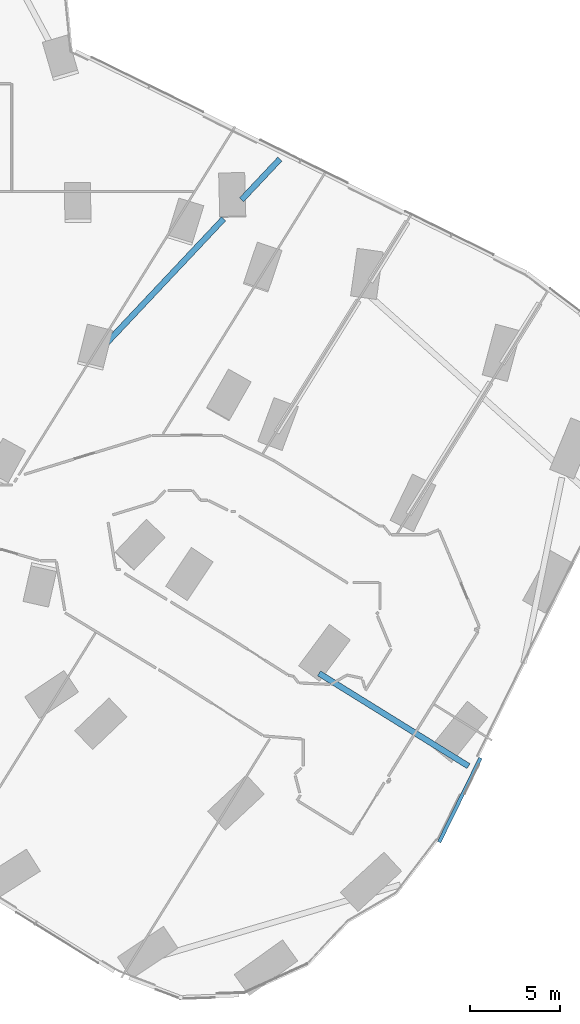
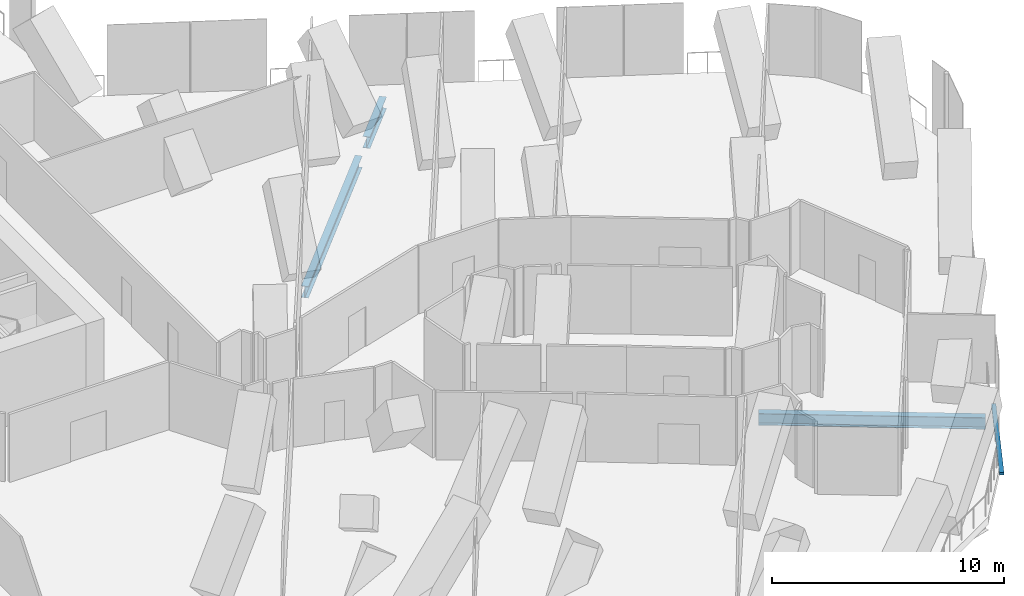
# One storey, part 9 of 31: 3 beams, 1 member, 1 element without a shape of its own.
"""IFC4 building model written with IfcOpenShell, lengths in metres."""

from ifc_helpers import new_model, si_unit, direction, frame, origin, origin_2d, place, context, subcontext, project, spatial, rectangle, i_section, extrude, material, material_profile, profile_set, type_object, element, aggregate, save


model = new_model("IFC4")

# Units and contexts
model_context = context("Model", 3, precision=1e-05, world=origin(), true_north=direction((0.0, 1.0)))
body_context = subcontext(model_context, "Body", "Model", "MODEL_VIEW")
ifc_project = project(units=[si_unit("LENGTHUNIT", "METRE"), si_unit("AREAUNIT", "SQUARE_METRE"), si_unit("VOLUMEUNIT", "CUBIC_METRE"), si_unit("PLANEANGLEUNIT", "RADIAN"), si_unit("MASSUNIT", "GRAM", prefix="KILO")], contexts=[model_context])

# Site, building, storey
site_placement = place(None, origin())
site = spatial("IfcSite", under=ifc_project, at=site_placement, CompositionType="ELEMENT")
building_placement = place(site_placement, origin())
building = spatial("IfcBuilding", under=site, at=building_placement, Name="Orlundy Tower", CompositionType="ELEMENT")
storey_placement = place(building_placement, frame((0.0, 0.0, 54.800048828125)))
storey = spatial("IfcBuildingStorey", under=building, at=storey_placement, Name="L12", CompositionType="ELEMENT", Elevation=54.800048828125)

# Beams
ifc_material_1 = material(Name="Steel ASTM A992 Gr 50", Category="steel")
ifc_material_profile_1 = material_profile(ifc_material_1, i_section(OverallWidth=0.32373046875, OverallDepth=0.611083984375, WebThickness=0.0126953125, FlangeThickness=0.01904296875, at=origin_2d()), Name="W24X104")
ifc_profile_set_1 = profile_set([ifc_material_profile_1], Name="Steel ASTM A992 Gr 50")
beam_type = type_object("IfcBeamType", Name="CANTILEVER GIRDER beam W24X104", PredefinedType="BEAM", material=ifc_profile_set_1)
beam_1_placement = place(storey_placement, frame((51.397216796875, -31.908935546875, -0.70556640625), z_axis=(-0.849580438502, 0.527459077573, 0.0), x_axis=(-0.527459077573, -0.849580438502, 0.0)))
element("IfcBeam", 1, at=beam_1_placement, inside=storey, type_object=beam_type, Name="Cantilever girder C-A3-5 L12", PredefinedType="BEAM", context=body_context, shape_type="SweptSolid", body=[
    extrude(i_section(OverallWidth=0.32373046875, OverallDepth=0.611083984375, WebThickness=0.0126953125, FlangeThickness=0.01904296875, at=origin_2d()), origin(), (0.0, 0.0, 1.0), 9.7900390625),
])
beam_2_placement = place(storey_placement, frame((40.899658203125, 1.86865234375, -0.70556640625), z_axis=(-0.685680426866, -0.72790270793, 0.0), x_axis=(0.72790270793, -0.685680426866, 0.0)))
element("IfcBeam", 2, at=beam_2_placement, inside=storey, type_object=beam_type, Name="Cantilever girder C-A5-1 L12", PredefinedType="BEAM", context=body_context, shape_type="SweptSolid", body=[
    extrude(i_section(OverallWidth=0.32373046875, OverallDepth=0.611083984375, WebThickness=0.0126953125, FlangeThickness=0.01904296875, at=origin_2d()), origin(), (0.0, 0.0, 1.0), 3.11083984375),
])
beam_3_placement = place(storey_placement, frame((37.771484375, -1.4521484375, -0.70556640625), z_axis=(-0.685674389687, -0.727908394873, 0.0), x_axis=(0.727908394873, -0.685674389687, 0.0)))
element("IfcBeam", 3, at=beam_3_placement, inside=storey, type_object=beam_type, Name="Back-span girder C-A5-1 L12", PredefinedType="BEAM", context=body_context, shape_type="SweptSolid", body=[
    extrude(i_section(OverallWidth=0.32373046875, OverallDepth=0.611083984375, WebThickness=0.0126953125, FlangeThickness=0.01904296875, at=origin_2d()), origin(), (0.0, 0.0, 1.0), 10.1044921875),
])

# Curtain wall, member
ifc_material_2 = material(Name="Aluminium bronze anodised", Category="aluminium")
curtain_wall_type = type_object("IfcCurtainWallType", Name="CW5 wall", PredefinedType="NOTDEFINED", material=ifc_material_2)
curtain_wall_placement = place(storey_placement, origin())
curtain_wall = element("IfcCurtainWall", 4, at=curtain_wall_placement, inside=storey, type_object=curtain_wall_type, Name="CW5 run 034", PredefinedType="NOTDEFINED")
ifc_material_3 = material(Name="Aluminium bronze anodised", Category="aluminium")
ifc_material_profile_2 = material_profile(ifc_material_3, rectangle(XDim=0.199951171875, YDim=0.139892578125, at=origin_2d()), Name="CW5 transom 200x140")
ifc_profile_set_2 = profile_set([ifc_material_profile_2], Name="Aluminium bronze anodised")
member_type = type_object("IfcMemberType", Name="CW5 transom 200x140", PredefinedType="USERDEFINED", material=ifc_profile_set_2)
member_placement = place(storey_placement, frame((52.06298828125, -31.457763671875, -0.330078125), z_axis=(-0.441035681653, -0.897489569582, 0.0), x_axis=(0.897489569582, -0.441035681653, 0.0)))
member = element("IfcMember", 5, at=member_placement, type_object=member_type, Name="CW5 transom", ObjectType="TRANSOM", PredefinedType="USERDEFINED", context=body_context, shape_type="SweptSolid", body=[
    extrude(rectangle(XDim=0.199951171875, YDim=0.139892578125, at=origin_2d()), origin(), (0.0, 0.0, 1.0), 5.20947265625),
])
aggregate(curtain_wall, [member])

save(model, "model.ifc")
